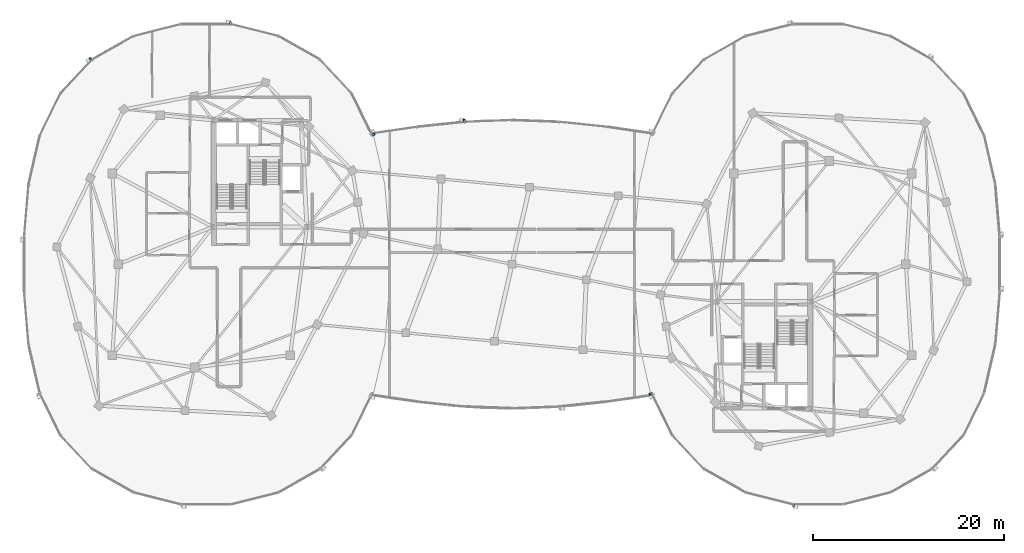
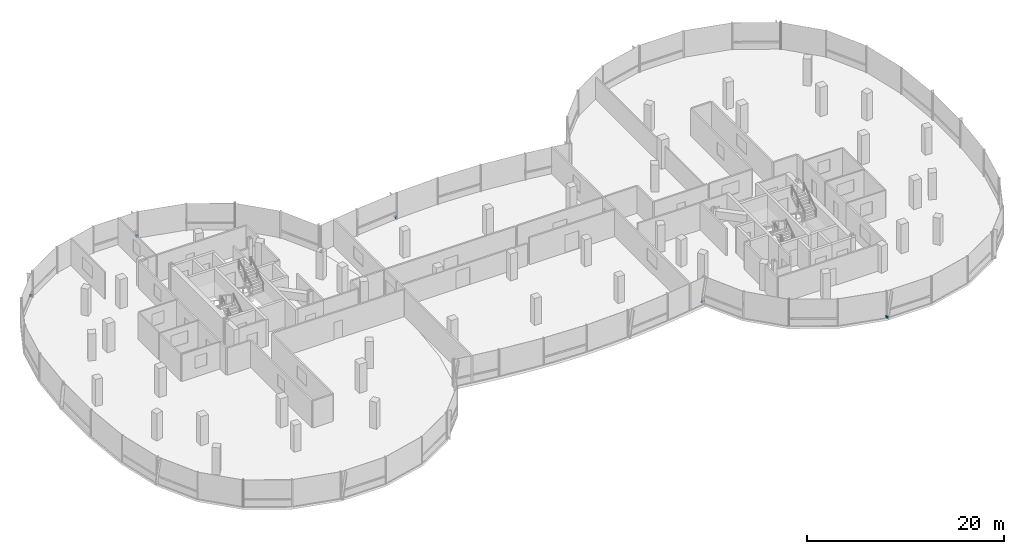
# One storey, part 18 of 25: 6 discrete accessories.
"""IFC4 building model written with IfcOpenShell, lengths in metres."""

from ifc_helpers import new_model, si_unit, direction, frame, origin, origin_2d, place, context, subcontext, project, spatial, rectangle, extrude, material, type_object, element, save


model = new_model("IFC4")

# Units and contexts
model_context = context("Model", 3, precision=1e-05, world=origin(), true_north=direction((0.0, 1.0)))
body_context = subcontext(model_context, "Body", "Model", "MODEL_VIEW")
ifc_project = project(units=[si_unit("LENGTHUNIT", "METRE"), si_unit("AREAUNIT", "SQUARE_METRE"), si_unit("VOLUMEUNIT", "CUBIC_METRE"), si_unit("PLANEANGLEUNIT", "RADIAN"), si_unit("MASSUNIT", "GRAM", prefix="KILO"), si_unit("THERMODYNAMICTEMPERATUREUNIT", "KELVIN"), si_unit("POWERUNIT", "WATT")], contexts=[model_context])

# Site, building, storey
site_placement = place(None, origin())
site = spatial("IfcSite", under=ifc_project, at=site_placement, CompositionType="ELEMENT")
building_placement = place(site_placement, origin())
building = spatial("IfcBuilding", under=site, at=building_placement, Name="Cundina Bronze Exchange", CompositionType="ELEMENT")
storey_placement = place(building_placement, frame((0.0, 0.0, 272.0)))
storey = spatial("IfcBuildingStorey", under=building, at=storey_placement, Name="L72", CompositionType="ELEMENT", Elevation=272.0)

# Discrete accessories
ifc_material = material(Name="Anodised Bronze Aluminium 6063-T6", Category="aluminium")
discrete_accessory_type = type_object("IfcDiscreteAccessoryType", Name="ACC-BRK-FIN", PredefinedType="BRACKET", material=ifc_material)
for number, where, z_axis, x_axis, name in (
    (1, (-14.505126953125, 13.565673828125, 0.10009765625), (0.0, 0.0, 1.0), (-0.440503330345, 0.897750976582, 0.0), "L72 Fin Support Bracket 1"),
    (2, (-29.423583984375, 25.25, 0.10009765625), (0.0, 0.0, 1.0), (-1.0, 0.0, 0.0), "L72 Fin Support Bracket 5"),
    (3, (-44.042236328125, 21.4755859375, 0.10009765625), (0.0, 0.0, 1.0), (-0.684343512797, -0.72915976061, 0.0), "L72 Fin Support Bracket 1"),
    (4, (14.505126953125, -13.565673828125, 0.10009765625), (0.0, 0.0, 1.0), (0.440503330345, -0.897750976582, 0.0), "L72 Fin Support Bracket 1"),
    (5, (29.423583984375, -25.25, 0.10009765625), (0.0, 0.0, 1.0), (1.0, 0.0, 0.0), "L72 Fin Support Bracket 5"),
    (6, (-5.003173828125, 15.01953125, 0.10009765625), (0.0, 0.0, 1.0), (-0.994672274174, -0.103087666525, 0.0), "L72 Fin Support Bracket 5"),
):
    element("IfcDiscreteAccessory", number, at=place(storey_placement, frame(where, z_axis=z_axis, x_axis=x_axis)), inside=storey, type_object=discrete_accessory_type, Name=name, PredefinedType="BRACKET", context=body_context, shape_type="SweptSolid", body=[
        extrude(rectangle(XDim=0.219970703125, YDim=0.320068359375, at=origin_2d()), origin(), (0.0, 0.0, 1.0), 0.239990234375),
    ])

save(model, "model.ifc")
